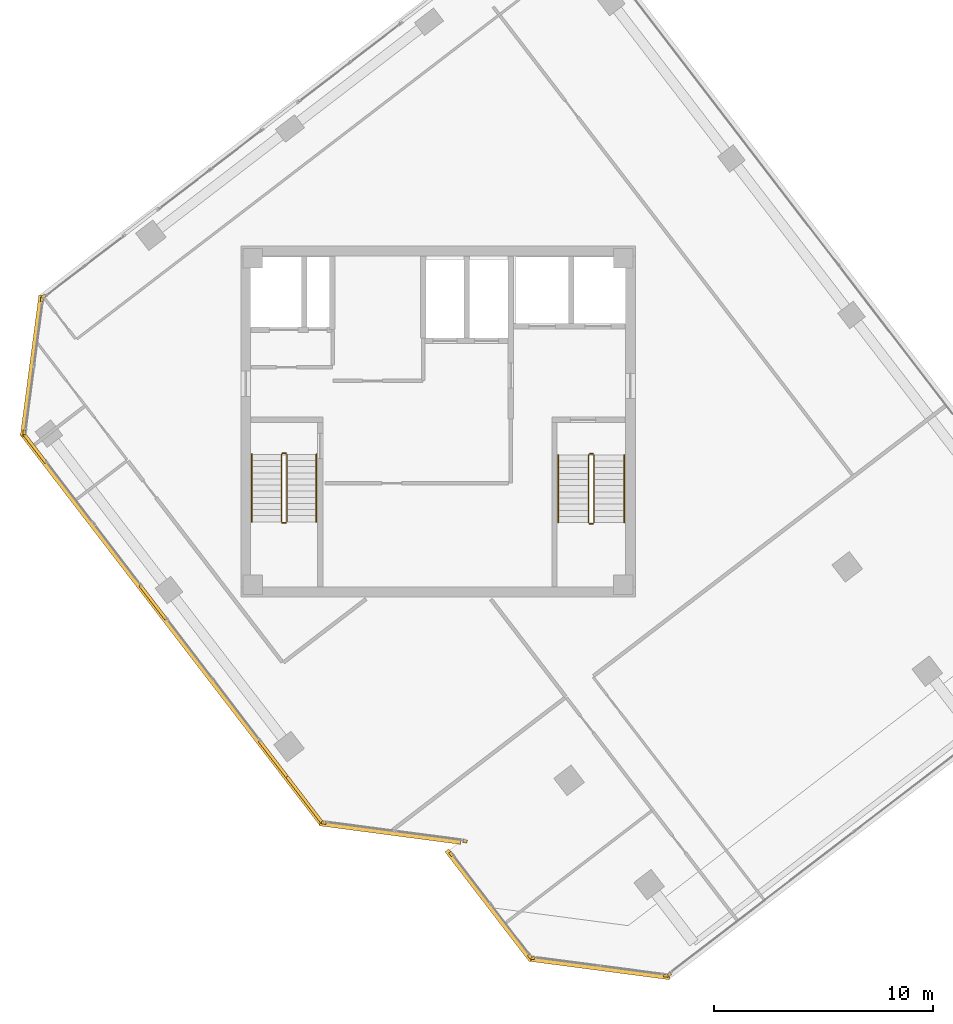
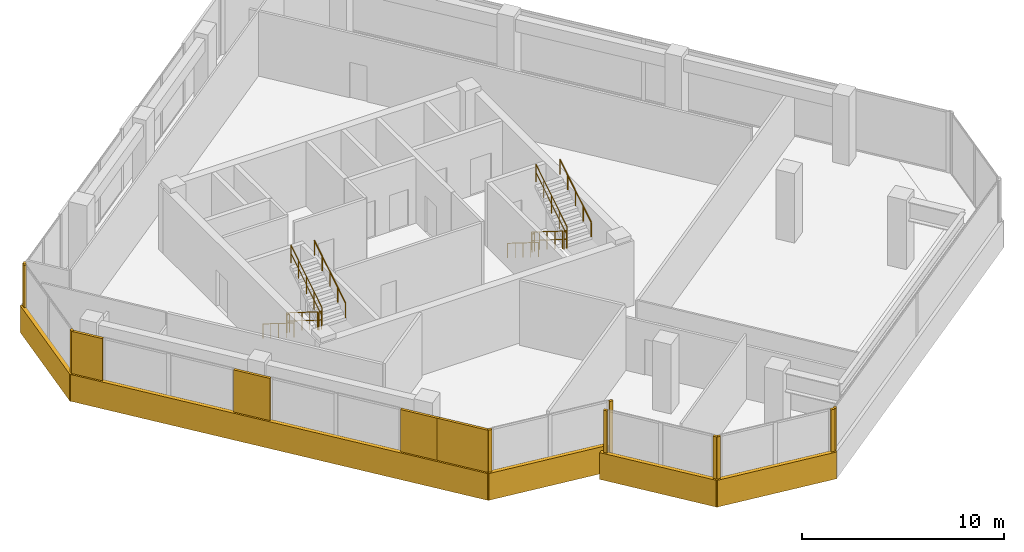
# One storey, part 15 of 17: 19 coverings, 12 railings.
"""IFC4 building model written with IfcOpenShell, lengths in metres."""

from ifc_helpers import new_model, si_unit, direction, frame, origin, origin_2d, place, context, subcontext, project, spatial, rectangle, circle, extrude, source, transform, mapped, material, layer, layer_set, type_object, element, save


model = new_model("IFC4")

# Units and contexts
model_context = context("Model", 3, precision=1e-05, world=origin(), true_north=direction((0.0, 1.0)))
body_context = subcontext(model_context, "Body", "Model", "MODEL_VIEW")
ifc_project = project(units=[si_unit("LENGTHUNIT", "METRE"), si_unit("AREAUNIT", "SQUARE_METRE"), si_unit("VOLUMEUNIT", "CUBIC_METRE"), si_unit("PLANEANGLEUNIT", "RADIAN"), si_unit("MASSUNIT", "GRAM", prefix="KILO")], contexts=[model_context])

# Site, building, storey
site_placement = place(None, origin())
site = spatial("IfcSite", under=ifc_project, at=site_placement, CompositionType="ELEMENT")
building_placement = place(site_placement, origin())
building = spatial("IfcBuilding", under=site, at=building_placement, Name="Torre Montelarca", CompositionType="ELEMENT")
storey_placement = place(building_placement, frame((0.0, 0.0, 283.60009765625)))
storey = spatial("IfcBuildingStorey", under=building, at=storey_placement, Name="L64", CompositionType="ELEMENT", Elevation=283.60009765625)

# Railings
ifc_material_1 = material(Name="Powder-coated steel ASTM A500 Grade C", Category="steel")
railing_type_1 = type_object("IfcRailingType", Name="RL-GUARD-1100", PredefinedType="BALUSTRADE", material=ifc_material_1)
railing_1_placement = place(storey_placement, frame((10.85009765625, 30.5, 0.1748046875)))
element("IfcRailing", 1, at=railing_1_placement, inside=storey, type_object=railing_type_1, Name="L64 ST1 stair guard 1", PredefinedType="BALUSTRADE", context=body_context, shape_type="SweptSolid", body=[
    extrude(circle(Radius=0.02392578125, at=origin_2d()), frame((0.0, 0.0, 1.076171875), z_axis=(0.0, -0.847998304005, 0.529998940003), x_axis=(1.0, 0.0, 0.0)), (0.0, 0.0, 1.0), 3.632080078125),
    extrude(circle(Radius=0.02099609375, at=origin_2d()), frame((0.0, 0.0, 0.572021484375), z_axis=(0.0, -0.847998304005, 0.529998940003), x_axis=(1.0, 0.0, 0.0)), (0.0, 0.0, 1.0), 3.632080078125),
    extrude(circle(Radius=0.02099609375, at=origin_2d()), origin(), (0.0, 0.0, 1.0), 1.052001953125),
    extrude(circle(Radius=0.02099609375, at=origin_2d()), frame((0.0, -0.77001953125, 0.481201171875)), (0.0, 0.0, 1.0), 1.052001953125),
    extrude(circle(Radius=0.02099609375, at=origin_2d()), frame((0.0, -1.5400390625, 0.96240234375)), (0.0, 0.0, 1.0), 1.052001953125),
    extrude(circle(Radius=0.02099609375, at=origin_2d()), frame((0.0, -2.31005859375, 1.44384765625)), (0.0, 0.0, 1.0), 1.052001953125),
    extrude(circle(Radius=0.02099609375, at=origin_2d()), frame((0.0, -3.080078125, 1.925048828125)), (0.0, 0.0, 1.0), 1.052001953125),
])
railing_2_placement = place(storey_placement, frame((10.89990234375, 27.3701171875, 2.099853515625)))
element("IfcRailing", 2, at=railing_2_placement, inside=storey, type_object=railing_type_1, Name="L64 ST1 stair guard 2", PredefinedType="BALUSTRADE", context=body_context, shape_type="SweptSolid", body=[
    extrude(circle(Radius=0.02392578125, at=origin_2d()), frame((0.0, 0.0, 1.076171875), z_axis=(1.0, 0.0, 0.0), x_axis=(0.0, 1.0, 0.0)), (0.0, 0.0, 1.0), 0.150146484375),
    extrude(circle(Radius=0.02099609375, at=origin_2d()), frame((0.0, 0.0, 0.572021484375), z_axis=(1.0, 0.0, 0.0), x_axis=(0.0, 1.0, 0.0)), (0.0, 0.0, 1.0), 0.150146484375),
    extrude(circle(Radius=0.02099609375, at=origin_2d()), origin(), (0.0, 0.0, 1.0), 1.052001953125),
    extrude(circle(Radius=0.02099609375, at=origin_2d()), frame((0.150146484375, 0.0, 0.0)), (0.0, 0.0, 1.0), 1.052001953125),
])
railing_3_placement = place(storey_placement, frame((11.10009765625, 27.419921875, 2.27490234375)))
element("IfcRailing", 3, at=railing_3_placement, inside=storey, type_object=railing_type_1, Name="L64 ST1 stair guard 3", PredefinedType="BALUSTRADE", context=body_context, shape_type="SweptSolid", body=[
    extrude(circle(Radius=0.02392578125, at=origin_2d()), frame((0.0, 0.0, 1.076171875), z_axis=(0.0, 0.847998304005, 0.529998940003), x_axis=(-1.0, 0.0, 0.0)), (0.0, 0.0, 1.0), 3.632080078125),
    extrude(circle(Radius=0.02099609375, at=origin_2d()), frame((0.0, 0.0, 0.572021484375), z_axis=(0.0, 0.847998304005, 0.529998940003), x_axis=(-1.0, 0.0, 0.0)), (0.0, 0.0, 1.0), 3.632080078125),
    extrude(circle(Radius=0.02099609375, at=origin_2d()), origin(), (0.0, 0.0, 1.0), 1.052001953125),
    extrude(circle(Radius=0.02099609375, at=origin_2d()), frame((0.0, 0.77001953125, 0.481201171875)), (0.0, 0.0, 1.0), 1.052001953125),
    extrude(circle(Radius=0.02099609375, at=origin_2d()), frame((0.0, 1.5400390625, 0.96240234375)), (0.0, 0.0, 1.0), 1.052001953125),
    extrude(circle(Radius=0.02099609375, at=origin_2d()), frame((0.0, 2.31005859375, 1.44384765625)), (0.0, 0.0, 1.0), 1.052001953125),
    extrude(circle(Radius=0.02099609375, at=origin_2d()), frame((0.0, 3.080078125, 1.925048828125)), (0.0, 0.0, 1.0), 1.052001953125),
])
railing_4_placement = place(storey_placement, frame((10.89990234375, 30.550048828125, 0.0)))
element("IfcRailing", 4, at=railing_4_placement, inside=storey, type_object=railing_type_1, Name="L64 ST1 stair guard 4", PredefinedType="BALUSTRADE", context=body_context, shape_type="SweptSolid", body=[
    extrude(circle(Radius=0.02392578125, at=origin_2d()), frame((0.0, 0.0, 1.076171875), z_axis=(1.0, 0.0, 0.0), x_axis=(0.0, 1.0, 0.0)), (0.0, 0.0, 1.0), 0.150146484375),
    extrude(circle(Radius=0.02099609375, at=origin_2d()), frame((0.0, 0.0, 0.572021484375), z_axis=(1.0, 0.0, 0.0), x_axis=(0.0, 1.0, 0.0)), (0.0, 0.0, 1.0), 0.150146484375),
    extrude(circle(Radius=0.02099609375, at=origin_2d()), origin(), (0.0, 0.0, 1.0), 1.052001953125),
    extrude(circle(Radius=0.02099609375, at=origin_2d()), frame((0.150146484375, 0.0, 0.0)), (0.0, 0.0, 1.0), 1.052001953125),
])
railing_5_placement = place(storey_placement, frame((24.8701171875, 30.469970703125, 0.1748046875)))
element("IfcRailing", 5, at=railing_5_placement, inside=storey, type_object=railing_type_1, Name="L64 ST2 stair guard 1", PredefinedType="BALUSTRADE", context=body_context, shape_type="SweptSolid", body=[
    extrude(circle(Radius=0.02392578125, at=origin_2d()), frame((0.0, 0.0, 1.076171875), z_axis=(0.0, -0.847998304005, 0.529998940003), x_axis=(1.0, 0.0, 0.0)), (0.0, 0.0, 1.0), 3.632080078125),
    extrude(circle(Radius=0.02099609375, at=origin_2d()), frame((0.0, 0.0, 0.572021484375), z_axis=(0.0, -0.847998304005, 0.529998940003), x_axis=(1.0, 0.0, 0.0)), (0.0, 0.0, 1.0), 3.632080078125),
    extrude(circle(Radius=0.02099609375, at=origin_2d()), origin(), (0.0, 0.0, 1.0), 1.052001953125),
    extrude(circle(Radius=0.02099609375, at=origin_2d()), frame((0.0, -0.77001953125, 0.481201171875)), (0.0, 0.0, 1.0), 1.052001953125),
    extrude(circle(Radius=0.02099609375, at=origin_2d()), frame((0.0, -1.5400390625, 0.96240234375)), (0.0, 0.0, 1.0), 1.052001953125),
    extrude(circle(Radius=0.02099609375, at=origin_2d()), frame((0.0, -2.31005859375, 1.44384765625)), (0.0, 0.0, 1.0), 1.052001953125),
    extrude(circle(Radius=0.02099609375, at=origin_2d()), frame((0.0, -3.080078125, 1.925048828125)), (0.0, 0.0, 1.0), 1.052001953125),
])
railing_6_placement = place(storey_placement, frame((24.919921875, 27.340087890625, 2.099853515625)))
element("IfcRailing", 6, at=railing_6_placement, inside=storey, type_object=railing_type_1, Name="L64 ST2 stair guard 2", PredefinedType="BALUSTRADE", context=body_context, shape_type="SweptSolid", body=[
    extrude(circle(Radius=0.02392578125, at=origin_2d()), frame((0.0, 0.0, 1.076171875), z_axis=(1.0, 0.0, 0.0), x_axis=(0.0, 1.0, 0.0)), (0.0, 0.0, 1.0), 0.150146484375),
    extrude(circle(Radius=0.02099609375, at=origin_2d()), frame((0.0, 0.0, 0.572021484375), z_axis=(1.0, 0.0, 0.0), x_axis=(0.0, 1.0, 0.0)), (0.0, 0.0, 1.0), 0.150146484375),
    extrude(circle(Radius=0.02099609375, at=origin_2d()), origin(), (0.0, 0.0, 1.0), 1.052001953125),
    extrude(circle(Radius=0.02099609375, at=origin_2d()), frame((0.150146484375, 0.0, 0.0)), (0.0, 0.0, 1.0), 1.052001953125),
])
railing_7_placement = place(storey_placement, frame((25.1201171875, 27.389892578125, 2.27490234375)))
element("IfcRailing", 7, at=railing_7_placement, inside=storey, type_object=railing_type_1, Name="L64 ST2 stair guard 3", PredefinedType="BALUSTRADE", context=body_context, shape_type="SweptSolid", body=[
    extrude(circle(Radius=0.02392578125, at=origin_2d()), frame((0.0, 0.0, 1.076171875), z_axis=(0.0, 0.847998304005, 0.529998940003), x_axis=(-1.0, 0.0, 0.0)), (0.0, 0.0, 1.0), 3.632080078125),
    extrude(circle(Radius=0.02099609375, at=origin_2d()), frame((0.0, 0.0, 0.572021484375), z_axis=(0.0, 0.847998304005, 0.529998940003), x_axis=(-1.0, 0.0, 0.0)), (0.0, 0.0, 1.0), 3.632080078125),
    extrude(circle(Radius=0.02099609375, at=origin_2d()), origin(), (0.0, 0.0, 1.0), 1.052001953125),
    extrude(circle(Radius=0.02099609375, at=origin_2d()), frame((0.0, 0.77001953125, 0.481201171875)), (0.0, 0.0, 1.0), 1.052001953125),
    extrude(circle(Radius=0.02099609375, at=origin_2d()), frame((0.0, 1.5400390625, 0.96240234375)), (0.0, 0.0, 1.0), 1.052001953125),
    extrude(circle(Radius=0.02099609375, at=origin_2d()), frame((0.0, 2.31005859375, 1.44384765625)), (0.0, 0.0, 1.0), 1.052001953125),
    extrude(circle(Radius=0.02099609375, at=origin_2d()), frame((0.0, 3.080078125, 1.925048828125)), (0.0, 0.0, 1.0), 1.052001953125),
])
railing_8_placement = place(storey_placement, frame((24.919921875, 30.52001953125, 0.0)))
element("IfcRailing", 8, at=railing_8_placement, inside=storey, type_object=railing_type_1, Name="L64 ST2 stair guard 4", PredefinedType="BALUSTRADE", context=body_context, shape_type="SweptSolid", body=[
    extrude(circle(Radius=0.02392578125, at=origin_2d()), frame((0.0, 0.0, 1.076171875), z_axis=(1.0, 0.0, 0.0), x_axis=(0.0, 1.0, 0.0)), (0.0, 0.0, 1.0), 0.150146484375),
    extrude(circle(Radius=0.02099609375, at=origin_2d()), frame((0.0, 0.0, 0.572021484375), z_axis=(1.0, 0.0, 0.0), x_axis=(0.0, 1.0, 0.0)), (0.0, 0.0, 1.0), 0.150146484375),
    extrude(circle(Radius=0.02099609375, at=origin_2d()), origin(), (0.0, 0.0, 1.0), 1.052001953125),
    extrude(circle(Radius=0.02099609375, at=origin_2d()), frame((0.150146484375, 0.0, 0.0)), (0.0, 0.0, 1.0), 1.052001953125),
])
ifc_material_2 = material(Name="Brushed stainless steel AISI 316", Category="steel")
railing_type_2 = type_object("IfcRailingType", Name="RL-HANDRAIL-900", PredefinedType="HANDRAIL", material=ifc_material_2)
railing_9_placement = place(storey_placement, frame((9.5, 30.5, 0.1748046875)))
element("IfcRailing", 9, at=railing_9_placement, inside=storey, type_object=railing_type_2, Name="L64 ST1 stair handrail 1", PredefinedType="HANDRAIL", context=body_context, shape_type="SweptSolid", body=[
    extrude(circle(Radius=0.02392578125, at=origin_2d()), frame((0.0, 0.0, 0.8759765625), z_axis=(0.0, -0.847998304005, 0.529998940003), x_axis=(1.0, 0.0, 0.0)), (0.0, 0.0, 1.0), 3.632080078125),
    extrude(circle(Radius=0.02099609375, at=origin_2d()), origin(), (0.0, 0.0, 1.0), 0.851806640625),
    extrude(circle(Radius=0.02099609375, at=origin_2d()), frame((0.0, -0.77001953125, 0.481201171875)), (0.0, 0.0, 1.0), 0.851806640625),
    extrude(circle(Radius=0.02099609375, at=origin_2d()), frame((0.0, -1.5400390625, 0.96240234375)), (0.0, 0.0, 1.0), 0.851806640625),
    extrude(circle(Radius=0.02099609375, at=origin_2d()), frame((0.0, -2.31005859375, 1.44384765625)), (0.0, 0.0, 1.0), 0.851806640625),
    extrude(circle(Radius=0.02099609375, at=origin_2d()), frame((0.0, -3.080078125, 1.925048828125)), (0.0, 0.0, 1.0), 0.851806640625),
])
railing_10_placement = place(storey_placement, frame((12.449951171875, 27.419921875, 2.27490234375)))
element("IfcRailing", 10, at=railing_10_placement, inside=storey, type_object=railing_type_2, Name="L64 ST1 stair handrail 2", PredefinedType="HANDRAIL", context=body_context, shape_type="SweptSolid", body=[
    extrude(circle(Radius=0.02392578125, at=origin_2d()), frame((0.0, 0.0, 0.8759765625), z_axis=(0.0, 0.847998304005, 0.529998940003), x_axis=(-1.0, 0.0, 0.0)), (0.0, 0.0, 1.0), 3.632080078125),
    extrude(circle(Radius=0.02099609375, at=origin_2d()), origin(), (0.0, 0.0, 1.0), 0.851806640625),
    extrude(circle(Radius=0.02099609375, at=origin_2d()), frame((0.0, 0.77001953125, 0.481201171875)), (0.0, 0.0, 1.0), 0.851806640625),
    extrude(circle(Radius=0.02099609375, at=origin_2d()), frame((0.0, 1.5400390625, 0.96240234375)), (0.0, 0.0, 1.0), 0.851806640625),
    extrude(circle(Radius=0.02099609375, at=origin_2d()), frame((0.0, 2.31005859375, 1.44384765625)), (0.0, 0.0, 1.0), 0.851806640625),
    extrude(circle(Radius=0.02099609375, at=origin_2d()), frame((0.0, 3.080078125, 1.925048828125)), (0.0, 0.0, 1.0), 0.851806640625),
])
railing_11_placement = place(storey_placement, frame((23.489990234375, 30.469970703125, 0.1748046875)))
element("IfcRailing", 11, at=railing_11_placement, inside=storey, type_object=railing_type_2, Name="L64 ST2 stair handrail 1", PredefinedType="HANDRAIL", context=body_context, shape_type="SweptSolid", body=[
    extrude(circle(Radius=0.02392578125, at=origin_2d()), frame((0.0, 0.0, 0.8759765625), z_axis=(0.0, -0.847998304005, 0.529998940003), x_axis=(1.0, 0.0, 0.0)), (0.0, 0.0, 1.0), 3.632080078125),
    extrude(circle(Radius=0.02099609375, at=origin_2d()), origin(), (0.0, 0.0, 1.0), 0.851806640625),
    extrude(circle(Radius=0.02099609375, at=origin_2d()), frame((0.0, -0.77001953125, 0.481201171875)), (0.0, 0.0, 1.0), 0.851806640625),
    extrude(circle(Radius=0.02099609375, at=origin_2d()), frame((0.0, -1.5400390625, 0.96240234375)), (0.0, 0.0, 1.0), 0.851806640625),
    extrude(circle(Radius=0.02099609375, at=origin_2d()), frame((0.0, -2.31005859375, 1.44384765625)), (0.0, 0.0, 1.0), 0.851806640625),
    extrude(circle(Radius=0.02099609375, at=origin_2d()), frame((0.0, -3.080078125, 1.925048828125)), (0.0, 0.0, 1.0), 0.851806640625),
])
railing_12_placement = place(storey_placement, frame((26.5, 27.389892578125, 2.27490234375)))
element("IfcRailing", 12, at=railing_12_placement, inside=storey, type_object=railing_type_2, Name="L64 ST2 stair handrail 2", PredefinedType="HANDRAIL", context=body_context, shape_type="SweptSolid", body=[
    extrude(circle(Radius=0.02392578125, at=origin_2d()), frame((0.0, 0.0, 0.8759765625), z_axis=(0.0, 0.847998304005, 0.529998940003), x_axis=(-1.0, 0.0, 0.0)), (0.0, 0.0, 1.0), 3.632080078125),
    extrude(circle(Radius=0.02099609375, at=origin_2d()), origin(), (0.0, 0.0, 1.0), 0.851806640625),
    extrude(circle(Radius=0.02099609375, at=origin_2d()), frame((0.0, 0.77001953125, 0.481201171875)), (0.0, 0.0, 1.0), 0.851806640625),
    extrude(circle(Radius=0.02099609375, at=origin_2d()), frame((0.0, 1.5400390625, 0.96240234375)), (0.0, 0.0, 1.0), 0.851806640625),
    extrude(circle(Radius=0.02099609375, at=origin_2d()), frame((0.0, 2.31005859375, 1.44384765625)), (0.0, 0.0, 1.0), 0.851806640625),
    extrude(circle(Radius=0.02099609375, at=origin_2d()), frame((0.0, 3.080078125, 1.925048828125)), (0.0, 0.0, 1.0), 0.851806640625),
])

# Coverings
ifc_material_3 = material(Name="Bush-hammered warm white precast concrete C45/55", Category="concrete")
ifc_layer = layer(ifc_material_3, 0.139892578125, Name="Bush-hammered warm white precast concrete C45/55", Category="concrete")
ifc_layer_set = layer_set([ifc_layer], Name="Bush-hammered warm white precast concrete C45/55")
covering_type = type_object("IfcCoveringType", Name="COV-TRAY-CLAD", PredefinedType="CLADDING", material=ifc_layer_set)
shared_shape_1 = source(origin(), body_context, "Body", "SweptSolid", [
    extrude(rectangle(XDim=6.48388671875, YDim=0.219970703125, at=origin_2d()), origin(), (0.0, 0.0, 1.0), 1.6201171875),
])
for number, where, z_axis, x_axis, name in (
    (13, (15.8203125, 13.236083984375, -0.4501953125), (0.0, 0.0, 1.0), (0.991444177927, -0.130531383411, 0.0), "L64 Architectural White Spandrel Tray Band TRYBOT-02"),
    (14, (25.348876953125, 7.060546875, -0.4501953125), (0.0, 0.0, 1.0), (0.991444177927, -0.130531383411, 0.0), "L64 Architectural White Spandrel Tray Band TRYBOT-05"),
    (15, (-0.529541015625, 34.543701171875, -0.4501953125), (0.0, 0.0, 1.0), (-0.130531383411, -0.991444177927, 0.0), "L64 Architectural White Spandrel Tray Band TRYBOT-11"),
):
    element("IfcCovering", number, at=place(storey_placement, frame(where, z_axis=z_axis, x_axis=x_axis)), inside=storey, type_object=covering_type, Name=name, PredefinedType="CLADDING", context=body_context, shape_type="MappedRepresentation", body=[
        mapped(shared_shape_1, transform((0.0, 0.0, 0.0), scale=1.0)),
    ])
shared_shape_2 = source(origin(), body_context, "Body", "SweptSolid", [
    extrude(rectangle(XDim=0.199951171875, YDim=0.139892578125, at=origin_2d()), origin(), (0.0, 0.0, 1.0), 3.719970703125),
])
for number, where, z_axis, x_axis, name in (
    (16, (12.788330078125, 13.69580078125, 0.0), (0.0, 0.0, 1.0), (0.991444177927, -0.130531383411, 0.0), "L64 Architectural Column Pier Cladding E02-1"),
    (17, (19.232666015625, 12.847412109375, 0.0), (0.0, 0.0, 1.0), (0.991444177927, -0.130531383411, 0.0), "L64 Architectural Column Pier Cladding E02-2"),
    (18, (18.60400390625, 12.267333984375, 0.0), (0.0, 0.0, 1.0), (0.608772506252, -0.793344840301, 0.0), "L64 Architectural Column Pier Cladding E04-1"),
    (19, (22.19091796875, 7.5927734375, 0.0), (0.0, 0.0, 1.0), (0.608772506252, -0.793344840301, 0.0), "L64 Architectural Column Pier Cladding E04-2"),
    (20, (22.31689453125, 7.520263671875, 0.0), (0.0, 0.0, 1.0), (0.991444177927, -0.130531383411, 0.0), "L64 Architectural Column Pier Cladding E05-1"),
    (21, (28.396484375, 6.7197265625, 0.0), (0.0, 0.0, 1.0), (0.991444177927, -0.130531383411, 0.0), "L64 Architectural Column Pier Cladding E05-2"),
    (22, (28.53662109375, 6.75732421875, 0.0), (0.0, 0.0, 1.0), (0.793350152813, 0.608765582989, 0.0), "L64 Architectural Column Pier Cladding E06-1"),
    (23, (0.002685546875, 37.701416015625, 0.0), (0.0, 0.0, 1.0), (-0.793351215308, -0.608764198331, 0.0), "L64 Architectural Column Pier Cladding E10-5"),
    (24, (-0.06982421875, 37.57568359375, 0.0), (0.0, 0.0, 1.0), (-0.130531383411, -0.991444177927, 0.0), "L64 Architectural Column Pier Cladding E11-1"),
    (25, (-0.870361328125, 31.495849609375, 0.0), (0.0, 0.0, 1.0), (-0.130531383411, -0.991444177927, 0.0), "L64 Architectural Column Pier Cladding E11-2"),
):
    element("IfcCovering", number, at=place(storey_placement, frame(where, z_axis=z_axis, x_axis=x_axis)), inside=storey, type_object=covering_type, Name=name, PredefinedType="CLADDING", context=body_context, shape_type="MappedRepresentation", body=[
        mapped(shared_shape_2, transform((0.0, 0.0, 0.0), scale=1.0)),
    ])
shared_shape_3 = source(origin(), body_context, "Body", "SweptSolid", [
    extrude(rectangle(XDim=2.06005859375, YDim=0.139892578125, at=origin_2d()), origin(), (0.0, 0.0, 1.0), 3.719970703125),
])
covering_1_placement = place(storey_placement, frame((10.480712890625, 16.61181640625, 0.0), z_axis=(0.0, 0.0, 1.0), x_axis=(0.608765582989, -0.793350152813, 0.0)))
element("IfcCovering", 26, at=covering_1_placement, inside=storey, type_object=covering_type, Name="L64 Architectural Column Pier Cladding E01-3", PredefinedType="CLADDING", context=body_context, shape_type="MappedRepresentation", body=[
    mapped(shared_shape_3, transform((0.0, 0.0, 0.0), scale=1.0)),
])
shared_shape_4 = source(origin(), body_context, "Body", "SweptSolid", [
    extrude(rectangle(XDim=2.754150390625, YDim=0.139892578125, at=origin_2d()), origin(), (0.0, 0.0, 1.0), 3.719970703125),
])
covering_2_placement = place(storey_placement, frame((11.885009765625, 14.781494140625, 0.0), z_axis=(0.0, 0.0, 1.0), x_axis=(0.608765582989, -0.793350152813, 0.0)))
element("IfcCovering", 27, at=covering_2_placement, inside=storey, type_object=covering_type, Name="L64 Architectural Column Pier Cladding E01-4", PredefinedType="CLADDING", context=body_context, shape_type="MappedRepresentation", body=[
    mapped(shared_shape_4, transform((0.0, 0.0, 0.0), scale=1.0)),
])
shared_shape_5 = source(origin(), body_context, "Body", "SweptSolid", [
    extrude(rectangle(XDim=22.52001953125, YDim=0.219970703125, at=origin_2d()), origin(), (0.0, 0.0, 1.0), 1.6201171875),
])
covering_3_placement = place(storey_placement, frame((5.8671875, 22.525390625, -0.4501953125), z_axis=(0.0, 0.0, 1.0), x_axis=(0.608762813671, -0.793352277801, 0.0)))
element("IfcCovering", 28, at=covering_3_placement, inside=storey, type_object=covering_type, Name="L64 Architectural White Spandrel Tray Band TRYBOT-01", PredefinedType="CLADDING", context=body_context, shape_type="MappedRepresentation", body=[
    mapped(shared_shape_5, transform((0.0, 0.0, 0.0), scale=1.0)),
])
shared_shape_6 = source(origin(), body_context, "Body", "SweptSolid", [
    extrude(rectangle(XDim=1.9599609375, YDim=0.139892578125, at=origin_2d()), origin(), (0.0, 0.0, 1.0), 3.719970703125),
])
covering_4_placement = place(storey_placement, frame((5.001708984375, 23.751953125, 0.0), z_axis=(0.0, 0.0, 1.0), x_axis=(0.608765582989, -0.793350152813, 0.0)))
element("IfcCovering", 29, at=covering_4_placement, inside=storey, type_object=covering_type, Name="L64 Architectural Column Pier Cladding E01-2", PredefinedType="CLADDING", context=body_context, shape_type="MappedRepresentation", body=[
    mapped(shared_shape_6, transform((0.0, 0.0, 0.0), scale=1.0)),
])
shared_shape_7 = source(origin(), body_context, "Body", "SweptSolid", [
    extrude(rectangle(XDim=6.320068359375, YDim=0.219970703125, at=origin_2d()), origin(), (0.0, 0.0, 1.0), 1.6201171875),
])
covering_5_placement = place(storey_placement, frame((20.32666015625, 9.923828125, -0.4501953125), z_axis=(0.0, 0.0, 1.0), x_axis=(0.6087683523, -0.793348027815, 0.0)))
element("IfcCovering", 30, at=covering_5_placement, inside=storey, type_object=covering_type, Name="L64 Architectural White Spandrel Tray Band TRYBOT-04", PredefinedType="CLADDING", context=body_context, shape_type="MappedRepresentation", body=[
    mapped(shared_shape_7, transform((0.0, 0.0, 0.0), scale=1.0)),
])
shared_shape_8 = source(origin(), body_context, "Body", "SweptSolid", [
    extrude(rectangle(XDim=1.664306640625, YDim=0.139892578125, at=origin_2d()), origin(), (0.0, 0.0, 1.0), 3.719970703125),
])
covering_6_placement = place(storey_placement, frame((-0.38720703125, 30.77490234375, 0.0), z_axis=(0.0, 0.0, 1.0), x_axis=(0.608765582989, -0.793350152813, 0.0)))
element("IfcCovering", 31, at=covering_6_placement, inside=storey, type_object=covering_type, Name="L64 Architectural Column Pier Cladding E01-1", PredefinedType="CLADDING", context=body_context, shape_type="MappedRepresentation", body=[
    mapped(shared_shape_8, transform((0.0, 0.0, 0.0), scale=1.0)),
])

save(model, "model.ifc")
